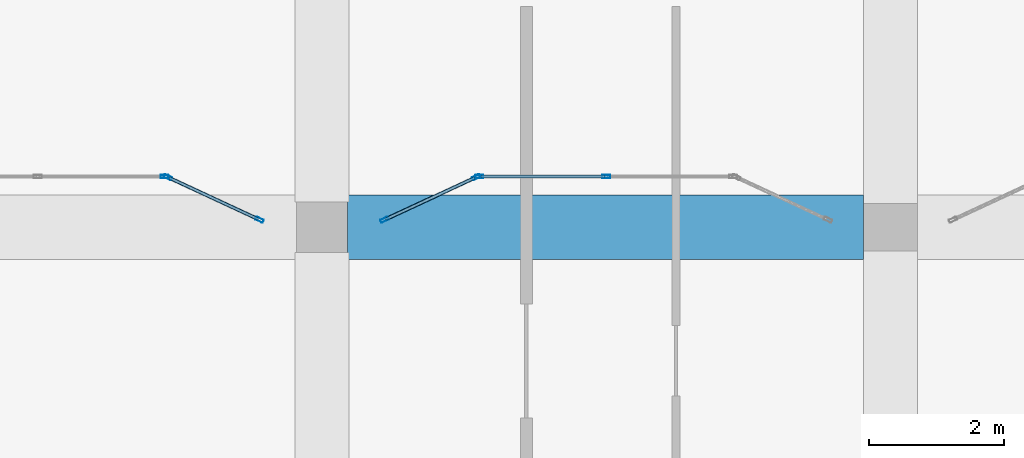
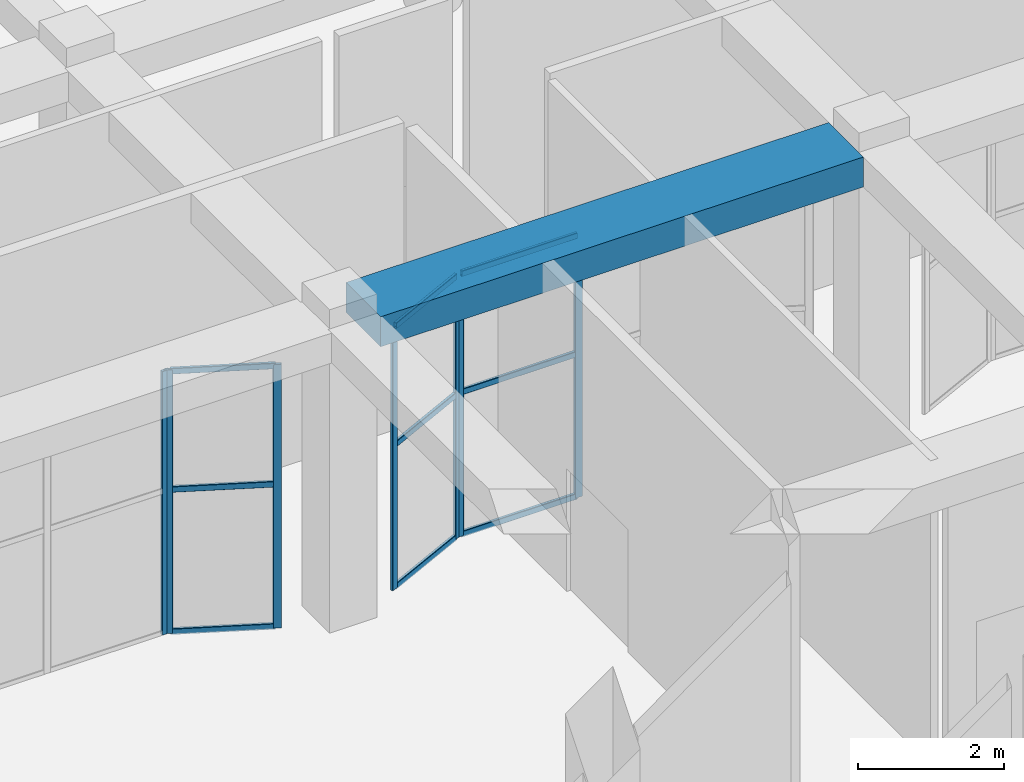
# One storey, part 10 of 84: 16 members, 1 beam, 4 elements without a shape of their own.
"""IFC4 building model written with IfcOpenShell, lengths in metres."""

from ifc_helpers import new_model, si_unit, derived_unit, direction, frame, origin, origin_2d, place, context, subcontext, project, spatial, rectangle, hollow_rectangle, extrude, material, material_profile, profile_set, type_object, element, aggregate, save


model = new_model("IFC4")

# Units and contexts
model_context = context("Model", 3, precision=1e-05, world=origin(), true_north=direction((0.0, 1.0)))
body_context = subcontext(model_context, "Body", "Model", "MODEL_VIEW")
ifc_project = project(units=[si_unit("LENGTHUNIT", "METRE"), si_unit("AREAUNIT", "SQUARE_METRE"), si_unit("VOLUMEUNIT", "CUBIC_METRE"), si_unit("PLANEANGLEUNIT", "RADIAN"), si_unit("MASSUNIT", "GRAM", prefix="KILO"), derived_unit("THERMALTRANSMITTANCEUNIT", [(si_unit("POWERUNIT", "WATT"), 1), (si_unit("LENGTHUNIT", "METRE"), -2), (si_unit("THERMODYNAMICTEMPERATUREUNIT", "KELVIN"), -1)])], contexts=[model_context])

# Site, building, storey
site_placement = place(None, origin())
site = spatial("IfcSite", under=ifc_project, at=site_placement, CompositionType="ELEMENT")
building_placement = place(site_placement, origin())
building = spatial("IfcBuilding", under=site, at=building_placement, Name="Veybourne Emporium", CompositionType="ELEMENT")
storey_placement = place(building_placement, origin())
storey = spatial("IfcBuildingStorey", under=building, at=storey_placement, Name="L00", CompositionType="ELEMENT", Elevation=0.0)

# Curtain wall, member
ifc_material_1 = material(Name="Patinated Architectural Bronze", Category="bronze")
curtain_wall_type_1 = type_object("IfcCurtainWallType", Name="CWSystem_CWI-03", PredefinedType="NOTDEFINED", material=ifc_material_1)
curtain_wall_1_placement = place(storey_placement, origin())
curtain_wall_1 = element("IfcCurtainWall", 1, at=curtain_wall_1_placement, inside=storey, type_object=curtain_wall_type_1, Name="Arcade bow-front boutique shopfront L00 bay 7 facet 2", PredefinedType="NOTDEFINED")
ifc_material_profile_1 = material_profile(ifc_material_1, hollow_rectangle(XDim=0.050048828125, YDim=0.1201171875, WallThickness=0.00390625, InnerFilletRadius=0.006103515625, OuterFilletRadius=0.010009765625, at=origin_2d()), Name="CWM 50x120x4")
ifc_profile_set_1 = profile_set([ifc_material_profile_1], Name="Patinated Architectural Bronze")
member_type_1 = type_object("IfcMemberType", Name="CWMullion_CW-M5", PredefinedType="MULLION", material=ifc_profile_set_1)
member_1_placement = place(storey_placement, frame((64.875, 22.35009765625, 0.0), z_axis=(0.0, 0.0, 1.0), x_axis=(0.0, 1.0, 0.0)))
member_1 = element("IfcMember", 2, at=member_1_placement, type_object=member_type_1, Name="CWI-03 mullion 3", PredefinedType="MULLION", context=body_context, shape_type="SweptSolid", body=[
    extrude(hollow_rectangle(XDim=0.050048828125, YDim=0.1201171875, WallThickness=0.00390625, InnerFilletRadius=0.006103515625, OuterFilletRadius=0.010009765625, at=origin_2d()), origin(), (0.0, 0.0, 1.0), 4.39990234375),
])
aggregate(curtain_wall_1, [member_1])

# Curtain wall, members
curtain_wall_type_2 = type_object("IfcCurtainWallType", Name="CWSystem_CWI-04", PredefinedType="NOTDEFINED", material=ifc_material_1)
curtain_wall_2_placement = place(storey_placement, origin())
curtain_wall_2 = element("IfcCurtainWall", 3, at=curtain_wall_2_placement, inside=storey, type_object=curtain_wall_type_2, Name="Arcade bow-front boutique shopfront L00 bay 7 facet 3", PredefinedType="NOTDEFINED")
member_2_placement = place(storey_placement, frame((64.922607421875, 22.33935546875, 0.0), z_axis=(0.0, 0.0, 1.0), x_axis=(0.421111306453, 0.907008967749, 0.0)))
member_2 = element("IfcMember", 4, at=member_2_placement, type_object=member_type_1, Name="CWI-04 mullion 1", PredefinedType="MULLION", context=body_context, shape_type="SweptSolid", body=[
    extrude(hollow_rectangle(XDim=0.050048828125, YDim=0.1201171875, WallThickness=0.00390625, InnerFilletRadius=0.006103515625, OuterFilletRadius=0.010009765625, at=origin_2d()), origin(), (0.0, 0.0, 1.0), 4.39990234375),
])
member_3_placement = place(storey_placement, frame((66.27734375, 21.71044921875, 0.0), z_axis=(0.0, 0.0, 1.0), x_axis=(0.421111306453, 0.907008967749, 0.0)))
member_3 = element("IfcMember", 5, at=member_3_placement, type_object=member_type_1, Name="CWI-04 mullion 2", PredefinedType="MULLION", context=body_context, shape_type="SweptSolid", body=[
    extrude(hollow_rectangle(XDim=0.050048828125, YDim=0.1201171875, WallThickness=0.00390625, InnerFilletRadius=0.006103515625, OuterFilletRadius=0.010009765625, at=origin_2d()), origin(), (0.0, 0.0, 1.0), 4.39990234375),
])

curtain_wall_3_placement = place(storey_placement, origin())
curtain_wall_3 = element("IfcCurtainWall", 6, at=curtain_wall_3_placement, inside=storey, type_object=curtain_wall_type_1, Name="Arcade bow-front boutique shopfront L00 bay 8 facet 1", PredefinedType="NOTDEFINED")
member_4_placement = place(storey_placement, frame((68.12255859375, 21.71044921875, 0.0), z_axis=(0.0, 0.0, 1.0), x_axis=(-0.421111306453, 0.907008967749, 0.0)))
member_4 = element("IfcMember", 7, at=member_4_placement, type_object=member_type_1, Name="CWI-03 mullion 1", PredefinedType="MULLION", context=body_context, shape_type="SweptSolid", body=[
    extrude(hollow_rectangle(XDim=0.050048828125, YDim=0.1201171875, WallThickness=0.00390625, InnerFilletRadius=0.006103515625, OuterFilletRadius=0.010009765625, at=origin_2d()), origin(), (0.0, 0.0, 1.0), 4.39990234375),
])
member_5_placement = place(storey_placement, frame((69.477294921875, 22.33935546875, 0.0), z_axis=(0.0, 0.0, 1.0), x_axis=(-0.421111306453, 0.907008967749, 0.0)))
member_5 = element("IfcMember", 8, at=member_5_placement, type_object=member_type_1, Name="CWI-03 mullion 2", PredefinedType="MULLION", context=body_context, shape_type="SweptSolid", body=[
    extrude(hollow_rectangle(XDim=0.050048828125, YDim=0.1201171875, WallThickness=0.00390625, InnerFilletRadius=0.006103515625, OuterFilletRadius=0.010009765625, at=origin_2d()), origin(), (0.0, 0.0, 1.0), 4.39990234375),
])

curtain_wall_4_placement = place(storey_placement, origin())
curtain_wall_4 = element("IfcCurtainWall", 9, at=curtain_wall_4_placement, inside=storey, type_object=curtain_wall_type_2, Name="Arcade bow-front boutique shopfront L00 bay 8 facet 2", PredefinedType="NOTDEFINED")
member_6_placement = place(storey_placement, frame((69.52490234375, 22.35009765625, 0.0), z_axis=(0.0, 0.0, 1.0), x_axis=(0.0, 1.0, 0.0)))
member_6 = element("IfcMember", 10, at=member_6_placement, type_object=member_type_1, Name="CWI-04 mullion 1", PredefinedType="MULLION", context=body_context, shape_type="SweptSolid", body=[
    extrude(hollow_rectangle(XDim=0.050048828125, YDim=0.1201171875, WallThickness=0.00390625, InnerFilletRadius=0.006103515625, OuterFilletRadius=0.010009765625, at=origin_2d()), origin(), (0.0, 0.0, 1.0), 4.39990234375),
])
member_7_placement = place(storey_placement, frame((71.39990234375, 22.35009765625, 0.0), z_axis=(0.0, 0.0, 1.0), x_axis=(0.0, 1.0, 0.0)))
member_7 = element("IfcMember", 11, at=member_7_placement, type_object=member_type_1, Name="CWI-04 mullion 2", PredefinedType="MULLION", context=body_context, shape_type="SweptSolid", body=[
    extrude(hollow_rectangle(XDim=0.050048828125, YDim=0.1201171875, WallThickness=0.00390625, InnerFilletRadius=0.006103515625, OuterFilletRadius=0.010009765625, at=origin_2d()), origin(), (0.0, 0.0, 1.0), 4.39990234375),
])

# Member
ifc_material_profile_2 = material_profile(ifc_material_1, hollow_rectangle(XDim=0.050048828125, YDim=0.10009765625, WallThickness=0.00390625, InnerFilletRadius=0.006103515625, OuterFilletRadius=0.010009765625, at=origin_2d()), Name="CWT 50x100x4")
ifc_profile_set_2 = profile_set([ifc_material_profile_2], Name="Patinated Architectural Bronze")
member_type_2 = type_object("IfcMemberType", Name="CWTransom_CW-T5", PredefinedType="NOTDEFINED", material=ifc_profile_set_2)
member_8_placement = place(storey_placement, frame((64.9453125, 22.328857421875, 0.02490234375), z_axis=(0.907006660705, -0.421116275435, 0.0), x_axis=(0.421116275435, 0.907006660705, 0.0)))
member_8 = element("IfcMember", 12, at=member_8_placement, type_object=member_type_2, Name="CWI-04 transom 1.1", ObjectType="TRANSOM", PredefinedType="USERDEFINED", context=body_context, shape_type="SweptSolid", body=[
    extrude(hollow_rectangle(XDim=0.050048828125, YDim=0.10009765625, WallThickness=0.00390625, InnerFilletRadius=0.006103515625, OuterFilletRadius=0.010009765625, at=origin_2d()), origin(), (0.0, 0.0, 1.0), 1.443603515625),
])

member_9_placement = place(storey_placement, frame((64.9453125, 22.328857421875, 2.39990234375), z_axis=(0.907006660705, -0.421116275435, 0.0), x_axis=(0.421116275435, 0.907006660705, 0.0)))
member_9 = element("IfcMember", 13, at=member_9_placement, type_object=member_type_2, Name="CWI-04 transom 1.2", ObjectType="TRANSOM", PredefinedType="USERDEFINED", context=body_context, shape_type="SweptSolid", body=[
    extrude(hollow_rectangle(XDim=0.050048828125, YDim=0.10009765625, WallThickness=0.00390625, InnerFilletRadius=0.006103515625, OuterFilletRadius=0.010009765625, at=origin_2d()), origin(), (0.0, 0.0, 1.0), 1.443603515625),
])

member_10_placement = place(storey_placement, frame((64.9453125, 22.328857421875, 4.375), z_axis=(0.907006660705, -0.421116275435, 0.0), x_axis=(0.421116275435, 0.907006660705, 0.0)))
member_10 = element("IfcMember", 14, at=member_10_placement, type_object=member_type_2, Name="CWI-04 transom 1.3", ObjectType="TRANSOM", PredefinedType="USERDEFINED", context=body_context, shape_type="SweptSolid", body=[
    extrude(hollow_rectangle(XDim=0.050048828125, YDim=0.10009765625, WallThickness=0.00390625, InnerFilletRadius=0.006103515625, OuterFilletRadius=0.010009765625, at=origin_2d()), origin(), (0.0, 0.0, 1.0), 1.443603515625),
])

aggregate(curtain_wall_2, [member_2, member_3, member_8, member_9, member_10])

member_11_placement = place(storey_placement, frame((68.145263671875, 21.720947265625, 0.02490234375), z_axis=(0.907006660705, 0.421116275435, 0.0), x_axis=(-0.421116275435, 0.907006660705, 0.0)))
member_11 = element("IfcMember", 15, at=member_11_placement, type_object=member_type_2, Name="CWI-03 transom 1.1", ObjectType="TRANSOM", PredefinedType="USERDEFINED", context=body_context, shape_type="SweptSolid", body=[
    extrude(hollow_rectangle(XDim=0.050048828125, YDim=0.10009765625, WallThickness=0.00390625, InnerFilletRadius=0.006103515625, OuterFilletRadius=0.010009765625, at=origin_2d()), origin(), (0.0, 0.0, 1.0), 1.443603515625),
])

member_12_placement = place(storey_placement, frame((68.145263671875, 21.720947265625, 2.39990234375), z_axis=(0.907006660705, 0.421116275435, 0.0), x_axis=(-0.421116275435, 0.907006660705, 0.0)))
member_12 = element("IfcMember", 16, at=member_12_placement, type_object=member_type_2, Name="CWI-03 transom 1.2", ObjectType="TRANSOM", PredefinedType="USERDEFINED", context=body_context, shape_type="SweptSolid", body=[
    extrude(hollow_rectangle(XDim=0.050048828125, YDim=0.10009765625, WallThickness=0.00390625, InnerFilletRadius=0.006103515625, OuterFilletRadius=0.010009765625, at=origin_2d()), origin(), (0.0, 0.0, 1.0), 1.443603515625),
])

member_13_placement = place(storey_placement, frame((68.145263671875, 21.720947265625, 4.375), z_axis=(0.907006660705, 0.421116275435, 0.0), x_axis=(-0.421116275435, 0.907006660705, 0.0)))
member_13 = element("IfcMember", 17, at=member_13_placement, type_object=member_type_2, Name="CWI-03 transom 1.3", ObjectType="TRANSOM", PredefinedType="USERDEFINED", context=body_context, shape_type="SweptSolid", body=[
    extrude(hollow_rectangle(XDim=0.050048828125, YDim=0.10009765625, WallThickness=0.00390625, InnerFilletRadius=0.006103515625, OuterFilletRadius=0.010009765625, at=origin_2d()), origin(), (0.0, 0.0, 1.0), 1.443603515625),
])

aggregate(curtain_wall_3, [member_4, member_5, member_11, member_12, member_13])

member_14_placement = place(storey_placement, frame((69.550048828125, 22.35009765625, 0.02490234375), z_axis=(1.0, 0.0, 0.0), x_axis=(0.0, 1.0, 0.0)))
member_14 = element("IfcMember", 18, at=member_14_placement, type_object=member_type_2, Name="CWI-04 transom 1.1", ObjectType="TRANSOM", PredefinedType="USERDEFINED", context=body_context, shape_type="SweptSolid", body=[
    extrude(hollow_rectangle(XDim=0.050048828125, YDim=0.10009765625, WallThickness=0.00390625, InnerFilletRadius=0.006103515625, OuterFilletRadius=0.010009765625, at=origin_2d()), origin(), (0.0, 0.0, 1.0), 1.824951171875),
])

member_15_placement = place(storey_placement, frame((69.550048828125, 22.35009765625, 2.39990234375), z_axis=(1.0, 0.0, 0.0), x_axis=(0.0, 1.0, 0.0)))
member_15 = element("IfcMember", 19, at=member_15_placement, type_object=member_type_2, Name="CWI-04 transom 1.2", ObjectType="TRANSOM", PredefinedType="USERDEFINED", context=body_context, shape_type="SweptSolid", body=[
    extrude(hollow_rectangle(XDim=0.050048828125, YDim=0.10009765625, WallThickness=0.00390625, InnerFilletRadius=0.006103515625, OuterFilletRadius=0.010009765625, at=origin_2d()), origin(), (0.0, 0.0, 1.0), 1.824951171875),
])

member_16_placement = place(storey_placement, frame((69.550048828125, 22.35009765625, 4.375), z_axis=(1.0, 0.0, 0.0), x_axis=(0.0, 1.0, 0.0)))
member_16 = element("IfcMember", 20, at=member_16_placement, type_object=member_type_2, Name="CWI-04 transom 1.3", ObjectType="TRANSOM", PredefinedType="USERDEFINED", context=body_context, shape_type="SweptSolid", body=[
    extrude(hollow_rectangle(XDim=0.050048828125, YDim=0.10009765625, WallThickness=0.00390625, InnerFilletRadius=0.006103515625, OuterFilletRadius=0.010009765625, at=origin_2d()), origin(), (0.0, 0.0, 1.0), 1.824951171875),
])

aggregate(curtain_wall_4, [member_6, member_7, member_14, member_15, member_16])

# Beam
ifc_material_2 = material(Name="Concrete C32/40", Category="concrete")
ifc_material_profile_3 = material_profile(ifc_material_2, rectangle(XDim=0.949951171875, YDim=0.5, at=origin_2d()), Name="RC 950x500")
ifc_profile_set_3 = profile_set([ifc_material_profile_3], Name="Concrete C32/40")
beam_type = type_object("IfcBeamType", Name="RCBeam_BB-01", PredefinedType="BEAM", material=ifc_profile_set_3)
beam_placement = place(storey_placement, frame((67.574951171875, 21.60009765625, 4.830078125), z_axis=(1.0, 0.0, 0.0), x_axis=(0.0, 1.0, 0.0)))
element("IfcBeam", 21, at=beam_placement, inside=storey, type_object=beam_type, Name="L00 X-grid beam BB-01 (8,3)", PredefinedType="BEAM", context=body_context, shape_type="SweptSolid", body=[
    extrude(rectangle(XDim=0.949951171875, YDim=0.5, at=origin_2d()), origin(), (0.0, 0.0, 1.0), 7.625),
])

save(model, "model.ifc")
